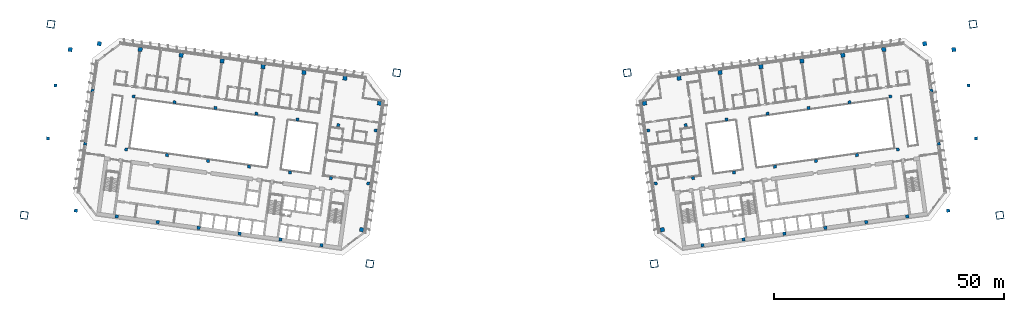
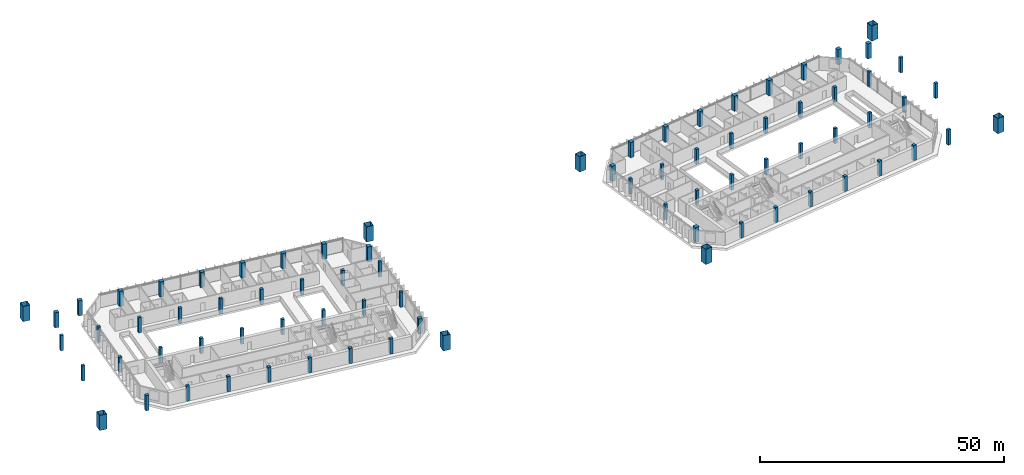
# One storey, part 1 of 26: 78 columns.
"""IFC4 building model written with IfcOpenShell, lengths in metres."""

from ifc_helpers import new_model, si_unit, direction, frame, origin, origin_2d, place, context, subcontext, project, spatial, rectangle, hollow_rectangle, extrude, material, material_profile, profile_set, type_object, element, save


model = new_model("IFC4")

# Units and contexts
model_context = context("Model", 3, precision=1e-05, world=origin(), true_north=direction((0.0, 1.0)))
body_context = subcontext(model_context, "Body", "Model", "MODEL_VIEW")
ifc_project = project(units=[si_unit("LENGTHUNIT", "METRE"), si_unit("AREAUNIT", "SQUARE_METRE"), si_unit("VOLUMEUNIT", "CUBIC_METRE"), si_unit("PLANEANGLEUNIT", "RADIAN"), si_unit("MASSUNIT", "GRAM", prefix="KILO")], contexts=[model_context])

# Site, building, storey
site_placement = place(None, origin())
site = spatial("IfcSite", under=ifc_project, at=site_placement, CompositionType="ELEMENT")
building_placement = place(site_placement, origin())
building = spatial("IfcBuilding", under=site, at=building_placement, Name="Mirante Cascada Hotel Towers", CompositionType="ELEMENT")
storey_placement = place(building_placement, frame((0.0, 0.0, 98.7)))
storey = spatial("IfcBuildingStorey", under=building, at=storey_placement, Name="L21", CompositionType="ELEMENT", Elevation=98.7)

# Columns
ifc_material_1 = material(Name="Steel ASTM A572 Gr 50", Category="steel")
ifc_material_profile_1 = material_profile(ifc_material_1, hollow_rectangle(XDim=1.6, YDim=1.6, WallThickness=0.07, at=origin_2d()), Name="Box column 1600x1600x70 ASTM A572 Gr 50")
ifc_profile_set_1 = profile_set([ifc_material_profile_1], Name="Steel ASTM A572 Gr 50")
column_type_1 = type_object("IfcColumnType", Name="Box column 1600x1600x70 ASTM A572 Gr 50", PredefinedType="COLUMN", material=ifc_profile_set_1)
for number, where, z_axis, x_axis, name in (
    (1, (-25.0968, 18.5173, 0.0), (0.0, 0.0, 1.0), (-0.9902681, 0.1391731, 0.0), "Mega column MC1 T1 L21"),
    (2, (-30.9421, -23.074, 0.0), (0.0, 0.0, 1.0), (-0.9902681, 0.1391731, 0.0), "Mega column MC2 T1 L21"),
    (3, (-100.3572, 29.0944, 0.0), (0.0, 0.0, 1.0), (-0.9902681, 0.1391731, 0.0), "Mega column MC3 T1 L21"),
    (4, (-106.2025, -12.4968, 0.0), (0.0, 0.0, 1.0), (-0.9902681, 0.1391731, 0.0), "Mega column MC4 T1 L21"),
    (5, (25.0968, 18.5173, 0.0), (0.0, 0.0, 1.0), (0.9902681, 0.1391731, 0.0), "Mega column MC1 T2 L21"),
    (6, (30.9421, -23.074, 0.0), (0.0, 0.0, 1.0), (0.9902681, 0.1391731, 0.0), "Mega column MC2 T2 L21"),
    (7, (100.3572, 29.0944, 0.0), (0.0, 0.0, 1.0), (0.9902681, 0.1391731, 0.0), "Mega column MC3 T2 L21"),
    (8, (106.2025, -12.4968, 0.0), (0.0, 0.0, 1.0), (0.9902681, 0.1391731, 0.0), "Mega column MC4 T2 L21"),
):
    element("IfcColumn", number, at=place(storey_placement, frame(where, z_axis=z_axis, x_axis=x_axis)), inside=storey, type_object=column_type_1, Name=name, PredefinedType="COLUMN", context=body_context, shape_type="SweptSolid", body=[
        extrude(hollow_rectangle(XDim=1.6, YDim=1.6, WallThickness=0.07, at=origin_2d()), origin(), (0.0, 0.0, 1.0), 3.8),
    ])
ifc_material_2 = material(Name="Concrete C60/75", Category="concrete")
ifc_material_profile_2 = material_profile(ifc_material_2, rectangle(XDim=0.65, YDim=0.65, at=origin_2d()), Name="RC column 650x650 C60/75")
ifc_profile_set_2 = profile_set([ifc_material_profile_2], Name="Concrete C60/75")
column_type_2 = type_object("IfcColumnType", Name="RC column 650x650 C60/75", PredefinedType="COLUMN", material=ifc_profile_set_2)
for number, where, z_axis, x_axis, name in (
    (9, (-29.6893, 5.9592, 0.0), (0.0, 0.0, 1.0), (-0.9902681, 0.1391731, 0.0), "Column T1 L21 2"),
    (10, (-31.3106, -5.5774, 0.0), (0.0, 0.0, 1.0), (-0.9902681, 0.1391731, 0.0), "Column T1 L21 3"),
    (11, (-37.8095, 7.1004, 0.0), (0.0, 0.0, 1.0), (-0.9902681, 0.1391731, 0.0), "Column T1 L21 6"),
    (12, (-39.4308, -4.4362, 0.0), (0.0, 0.0, 1.0), (-0.9902681, 0.1391731, 0.0), "Column T1 L21 7"),
    (13, (-46.7219, 8.353, 0.0), (0.0, 0.0, 1.0), (-0.9902681, 0.1391731, 0.0), "Column T1 L21 10"),
    (14, (-48.3432, -3.1836, 0.0), (0.0, 0.0, 1.0), (-0.9902681, 0.1391731, 0.0), "Column T1 L21 11"),
    (15, (-55.6343, 9.6055, 0.0), (0.0, 0.0, 1.0), (-0.9902681, 0.1391731, 0.0), "Column T1 L21 14"),
    (16, (-57.2557, -1.9311, 0.0), (0.0, 0.0, 1.0), (-0.9902681, 0.1391731, 0.0), "Column T1 L21 15"),
    (17, (-64.5467, 10.8581, 0.0), (0.0, 0.0, 1.0), (-0.9902681, 0.1391731, 0.0), "Column T1 L21 18"),
    (18, (-66.1681, -0.6785, 0.0), (0.0, 0.0, 1.0), (-0.9902681, 0.1391731, 0.0), "Column T1 L21 19"),
    (19, (-73.4591, 12.1107, 0.0), (0.0, 0.0, 1.0), (-0.9902681, 0.1391731, 0.0), "Column T1 L21 22"),
    (20, (-75.0805, 0.574, 0.0), (0.0, 0.0, 1.0), (-0.9902681, 0.1391731, 0.0), "Column T1 L21 23"),
    (21, (-82.3715, 13.3632, 0.0), (0.0, 0.0, 1.0), (-0.9902681, 0.1391731, 0.0), "Column T1 L21 26"),
    (22, (-83.9929, 1.8266, 0.0), (0.0, 0.0, 1.0), (-0.9902681, 0.1391731, 0.0), "Column T1 L21 27"),
    (23, (-91.2839, 14.6158, 0.0), (0.0, 0.0, 1.0), (-0.9902681, 0.1391731, 0.0), "Column T1 L21 30"),
    (24, (-92.9053, 3.0792, 0.0), (0.0, 0.0, 1.0), (-0.9902681, 0.1391731, 0.0), "Column T1 L21 31"),
    (25, (-99.4041, 15.757, 0.0), (0.0, 0.0, 1.0), (-0.9902681, 0.1391731, 0.0), "Column T1 L21 34"),
    (26, (-101.0255, 4.2204, 0.0), (0.0, 0.0, 1.0), (-0.9902681, 0.1391731, 0.0), "Column T1 L21 35"),
    (27, (29.6893, 5.9592, 0.0), (0.0, 0.0, 1.0), (0.9902681, 0.1391731, 0.0), "Column T2 L21 2"),
    (28, (31.3106, -5.5774, 0.0), (0.0, 0.0, 1.0), (0.9902681, 0.1391731, 0.0), "Column T2 L21 3"),
    (29, (37.8095, 7.1004, 0.0), (0.0, 0.0, 1.0), (0.9902681, 0.1391731, 0.0), "Column T2 L21 6"),
    (30, (39.4308, -4.4362, 0.0), (0.0, 0.0, 1.0), (0.9902681, 0.1391731, 0.0), "Column T2 L21 7"),
    (31, (46.7219, 8.353, 0.0), (0.0, 0.0, 1.0), (0.9902681, 0.1391731, 0.0), "Column T2 L21 10"),
    (32, (48.3432, -3.1836, 0.0), (0.0, 0.0, 1.0), (0.9902681, 0.1391731, 0.0), "Column T2 L21 11"),
    (33, (55.6343, 9.6055, 0.0), (0.0, 0.0, 1.0), (0.9902681, 0.1391731, 0.0), "Column T2 L21 14"),
    (34, (57.2557, -1.9311, 0.0), (0.0, 0.0, 1.0), (0.9902681, 0.1391731, 0.0), "Column T2 L21 15"),
    (35, (64.5467, 10.8581, 0.0), (0.0, 0.0, 1.0), (0.9902681, 0.1391731, 0.0), "Column T2 L21 18"),
    (36, (66.1681, -0.6785, 0.0), (0.0, 0.0, 1.0), (0.9902681, 0.1391731, 0.0), "Column T2 L21 19"),
    (37, (73.4591, 12.1107, 0.0), (0.0, 0.0, 1.0), (0.9902681, 0.1391731, 0.0), "Column T2 L21 22"),
    (38, (75.0805, 0.574, 0.0), (0.0, 0.0, 1.0), (0.9902681, 0.1391731, 0.0), "Column T2 L21 23"),
    (39, (82.3715, 13.3632, 0.0), (0.0, 0.0, 1.0), (0.9902681, 0.1391731, 0.0), "Column T2 L21 26"),
    (40, (83.9929, 1.8266, 0.0), (0.0, 0.0, 1.0), (0.9902681, 0.1391731, 0.0), "Column T2 L21 27"),
    (41, (91.2839, 14.6158, 0.0), (0.0, 0.0, 1.0), (0.9902681, 0.1391731, 0.0), "Column T2 L21 30"),
    (42, (92.9053, 3.0792, 0.0), (0.0, 0.0, 1.0), (0.9902681, 0.1391731, 0.0), "Column T2 L21 31"),
    (43, (99.4041, 15.757, 0.0), (0.0, 0.0, 1.0), (0.9902681, 0.1391731, 0.0), "Column T2 L21 34"),
    (44, (101.0255, 4.2204, 0.0), (0.0, 0.0, 1.0), (0.9902681, 0.1391731, 0.0), "Column T2 L21 35"),
):
    element("IfcColumn", number, at=place(storey_placement, frame(where, z_axis=z_axis, x_axis=x_axis)), inside=storey, type_object=column_type_2, Name=name, PredefinedType="COLUMN", context=body_context, shape_type="SweptSolid", body=[
        extrude(rectangle(XDim=0.65, YDim=0.65, at=origin_2d()), origin(), (0.0, 0.0, 1.0), 3.8),
    ])
ifc_material_3 = material(Name="Concrete C60/75", Category="concrete")
ifc_material_profile_3 = material_profile(ifc_material_3, rectangle(XDim=0.7, YDim=0.7, at=origin_2d()), Name="RC column 700x700 C60/75")
ifc_profile_set_3 = profile_set([ifc_material_profile_3], Name="Concrete C60/75")
column_type_3 = type_object("IfcColumnType", Name="RC column 700x700 C60/75", PredefinedType="COLUMN", material=ifc_profile_set_3)
for number, where, z_axis, x_axis, name in (
    (45, (-41.4802, -19.0179, 0.0), (0.0, 0.0, 1.0), (-0.9902681, 0.1391731, 0.0), "Column T1 L21 8"),
    (46, (-50.3926, -17.7653, 0.0), (0.0, 0.0, 1.0), (-0.9902681, 0.1391731, 0.0), "Column T1 L21 12"),
    (47, (-59.305, -16.5128, 0.0), (0.0, 0.0, 1.0), (-0.9902681, 0.1391731, 0.0), "Column T1 L21 16"),
    (48, (-68.2174, -15.2602, 0.0), (0.0, 0.0, 1.0), (-0.9902681, 0.1391731, 0.0), "Column T1 L21 20"),
    (49, (-77.1298, -14.0077, 0.0), (0.0, 0.0, 1.0), (-0.9902681, 0.1391731, 0.0), "Column T1 L21 24"),
    (50, (-86.0422, -12.7551, 0.0), (0.0, 0.0, 1.0), (-0.9902681, 0.1391731, 0.0), "Column T1 L21 28"),
    (51, (-94.9546, -11.5025, 0.0), (0.0, 0.0, 1.0), (-0.9902681, 0.1391731, 0.0), "Column T1 L21 32"),
    (52, (41.4802, -19.0179, 0.0), (0.0, 0.0, 1.0), (0.9902681, 0.1391731, 0.0), "Column T2 L21 8"),
    (53, (50.3926, -17.7653, 0.0), (0.0, 0.0, 1.0), (0.9902681, 0.1391731, 0.0), "Column T2 L21 12"),
    (54, (59.305, -16.5128, 0.0), (0.0, 0.0, 1.0), (0.9902681, 0.1391731, 0.0), "Column T2 L21 16"),
    (55, (68.2174, -15.2602, 0.0), (0.0, 0.0, 1.0), (0.9902681, 0.1391731, 0.0), "Column T2 L21 20"),
    (56, (77.1298, -14.0077, 0.0), (0.0, 0.0, 1.0), (0.9902681, 0.1391731, 0.0), "Column T2 L21 24"),
    (57, (86.0422, -12.7551, 0.0), (0.0, 0.0, 1.0), (0.9902681, 0.1391731, 0.0), "Column T2 L21 28"),
    (58, (94.9546, -11.5025, 0.0), (0.0, 0.0, 1.0), (0.9902681, 0.1391731, 0.0), "Column T2 L21 32"),
):
    element("IfcColumn", number, at=place(storey_placement, frame(where, z_axis=z_axis, x_axis=x_axis)), inside=storey, type_object=column_type_3, Name=name, PredefinedType="COLUMN", context=body_context, shape_type="SweptSolid", body=[
        extrude(rectangle(XDim=0.7, YDim=0.7, at=origin_2d()), origin(), (0.0, 0.0, 1.0), 3.8),
    ])
ifc_material_4 = material(Name="Concrete C60/75", Category="concrete")
ifc_material_profile_4 = material_profile(ifc_material_4, rectangle(XDim=0.9, YDim=0.9, at=origin_2d()), Name="RC column 900x900 C60/75")
ifc_profile_set_4 = profile_set([ifc_material_profile_4], Name="Concrete C60/75")
column_type_4 = type_object("IfcColumnType", Name="RC column 900x900 C60/75", PredefinedType="COLUMN", material=ifc_profile_set_4)
for number, where, z_axis, x_axis, name in (
    (59, (-28.8577, 11.8761, 0.0), (0.0, 0.0, 1.0), (-0.9902681, 0.1391731, 0.0), "Column T1 L21 1"),
    (60, (-32.7267, -15.6534, 0.0), (0.0, 0.0, 1.0), (-0.9902681, 0.1391731, 0.0), "Column T1 L21 4"),
    (61, (-36.3725, 17.325, 0.0), (0.0, 0.0, 1.0), (-0.9902681, 0.1391731, 0.0), "Column T1 L21 5"),
    (62, (-45.2849, 18.5775, 0.0), (0.0, 0.0, 1.0), (-0.9902681, 0.1391731, 0.0), "Column T1 L21 9"),
    (63, (-54.1973, 19.8301, 0.0), (0.0, 0.0, 1.0), (-0.9902681, 0.1391731, 0.0), "Column T1 L21 13"),
    (64, (-63.1097, 21.0826, 0.0), (0.0, 0.0, 1.0), (-0.9902681, 0.1391731, 0.0), "Column T1 L21 17"),
    (65, (-72.0222, 22.3352, 0.0), (0.0, 0.0, 1.0), (-0.9902681, 0.1391731, 0.0), "Column T1 L21 21"),
    (66, (-80.9346, 23.5877, 0.0), (0.0, 0.0, 1.0), (-0.9902681, 0.1391731, 0.0), "Column T1 L21 25"),
    (67, (-89.847, 24.8403, 0.0), (0.0, 0.0, 1.0), (-0.9902681, 0.1391731, 0.0), "Column T1 L21 29"),
    (68, (-96.1868, 23.5602, 0.0), (0.0, 0.0, 1.0), (-0.9902681, 0.1391731, 0.0), "Column T1 L21 33"),
    (69, (28.8577, 11.8761, 0.0), (0.0, 0.0, 1.0), (0.9902681, 0.1391731, 0.0), "Column T2 L21 1"),
    (70, (32.7267, -15.6534, 0.0), (0.0, 0.0, 1.0), (0.9902681, 0.1391731, 0.0), "Column T2 L21 4"),
    (71, (36.3725, 17.325, 0.0), (0.0, 0.0, 1.0), (0.9902681, 0.1391731, 0.0), "Column T2 L21 5"),
    (72, (45.2849, 18.5775, 0.0), (0.0, 0.0, 1.0), (0.9902681, 0.1391731, 0.0), "Column T2 L21 9"),
    (73, (54.1973, 19.8301, 0.0), (0.0, 0.0, 1.0), (0.9902681, 0.1391731, 0.0), "Column T2 L21 13"),
    (74, (63.1097, 21.0826, 0.0), (0.0, 0.0, 1.0), (0.9902681, 0.1391731, 0.0), "Column T2 L21 17"),
    (75, (72.0222, 22.3352, 0.0), (0.0, 0.0, 1.0), (0.9902681, 0.1391731, 0.0), "Column T2 L21 21"),
    (76, (80.9346, 23.5877, 0.0), (0.0, 0.0, 1.0), (0.9902681, 0.1391731, 0.0), "Column T2 L21 25"),
    (77, (89.847, 24.8403, 0.0), (0.0, 0.0, 1.0), (0.9902681, 0.1391731, 0.0), "Column T2 L21 29"),
    (78, (96.1868, 23.5602, 0.0), (0.0, 0.0, 1.0), (0.9902681, 0.1391731, 0.0), "Column T2 L21 33"),
):
    element("IfcColumn", number, at=place(storey_placement, frame(where, z_axis=z_axis, x_axis=x_axis)), inside=storey, type_object=column_type_4, Name=name, PredefinedType="COLUMN", context=body_context, shape_type="SweptSolid", body=[
        extrude(rectangle(XDim=0.9, YDim=0.9, at=origin_2d()), origin(), (0.0, 0.0, 1.0), 3.8),
    ])

save(model, "model.ifc")
